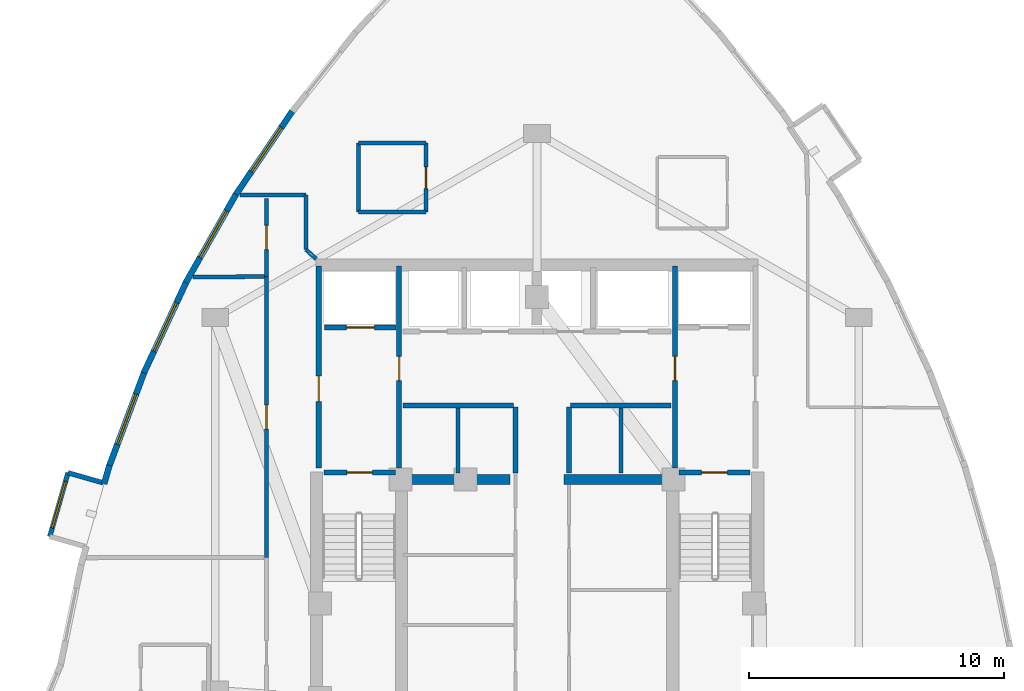
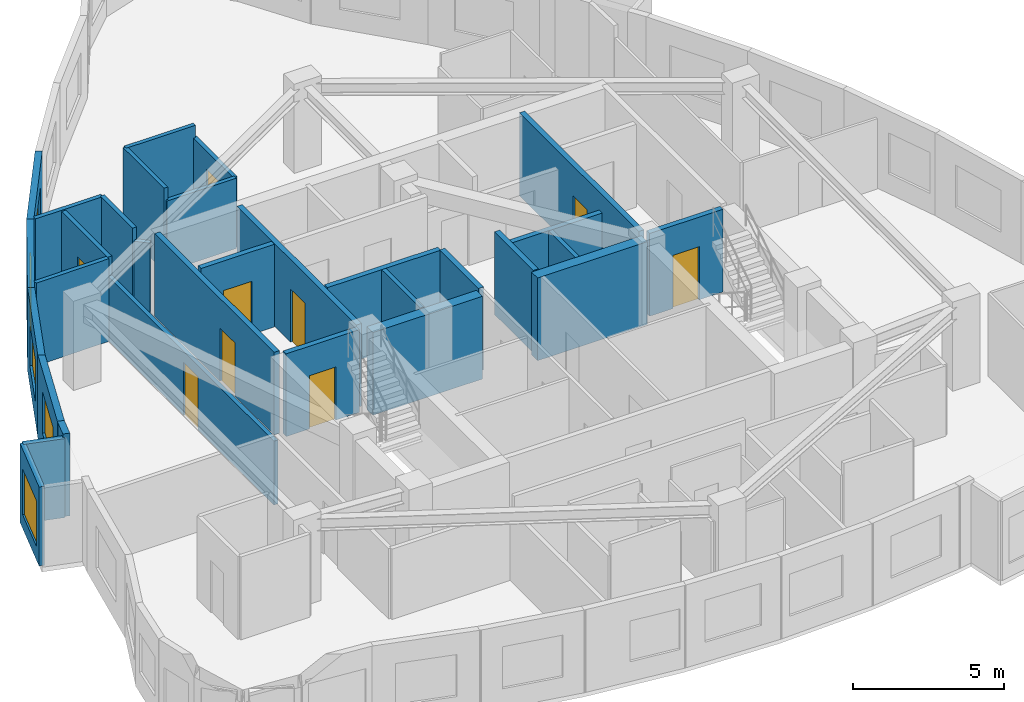
# One storey, part 5 of 9: 31 walls, 9 doors, 5 windows, 14 openings.
"""IFC4 building model written with IfcOpenShell, lengths in metres."""

from ifc_helpers import new_model, si_unit, direction, frame, frame_2d, origin, place, context, subcontext, project, spatial, rectangle, extrude, material, layer, layer_set, type_object, element, fill, save


model = new_model("IFC4")

# Units and contexts
model_context = context("Model", 3, precision=1e-05, world=origin(), true_north=direction((0.0, 1.0)))
body_context = subcontext(model_context, "Body", "Model", "MODEL_VIEW")
ifc_project = project(units=[si_unit("LENGTHUNIT", "METRE"), si_unit("AREAUNIT", "SQUARE_METRE"), si_unit("VOLUMEUNIT", "CUBIC_METRE"), si_unit("PLANEANGLEUNIT", "RADIAN"), si_unit("MASSUNIT", "GRAM", prefix="KILO")], contexts=[model_context])

# Site, building, storey
site_placement = place(None, origin())
site = spatial("IfcSite", under=ifc_project, at=site_placement, CompositionType="ELEMENT")
building_placement = place(site_placement, origin())
building = spatial("IfcBuilding", under=site, at=building_placement, Name="Miruveldt Soraemaru", CompositionType="ELEMENT")
storey_placement = place(building_placement, frame((0.0, 0.0, 194.39990234375)))
storey = spatial("IfcBuildingStorey", under=building, at=storey_placement, Name="L53", CompositionType="ELEMENT", Elevation=194.39990234375)

# Wall
ifc_material_1 = material(Name="White powder-coated aluminium EN AW-6060 T6", Category="aluminium")
ifc_layer_1 = layer(ifc_material_1, 0.18994140625, Name="White powder-coated aluminium EN AW-6060 T6", Category="aluminium")
ifc_layer_set_1 = layer_set([ifc_layer_1], Name="White powder-coated aluminium EN AW-6060 T6")
wall_type_1 = type_object("IfcWallType", Name="WALL-BAY-ALU190", PredefinedType="SOLIDWALL", material=ifc_layer_set_1)
wall_1_placement = place(storey_placement, frame((26.99951171875, 43.9228515625, 0.0), z_axis=(0.0, 0.0, 1.0), x_axis=(-0.961439844578, 0.275015318223, 0.0)))
element("IfcWall", 1, at=wall_1_placement, inside=storey, type_object=wall_type_1, Name="L53 Bay Window Side Cheek 1L", PredefinedType="SOLIDWALL", context=body_context, shape_type="SweptSolid", body=[
    extrude(rectangle(XDim=1.4248046875, YDim=0.18994140625, at=frame_2d((0.71240234375, 0.0))), origin(), (0.0, 0.0, 1.0), 3.195068359375),
])

# Wall, opening, window
wall_2_placement = place(storey_placement, frame((25.629638671875, 44.314697265625, 0.0), z_axis=(0.0, 0.0, 1.0), x_axis=(-0.274944358644, -0.961460139397, 0.0)))
wall_2 = element("IfcWall", 2, at=wall_2_placement, inside=storey, type_object=wall_type_1, Name="L53 Bay Window Front Frame 1", PredefinedType="SOLIDWALL", context=body_context, shape_type="SweptSolid", body=[
    extrude(rectangle(XDim=2.599853515625, YDim=0.18994140625, at=frame_2d((1.2998046875, 0.0))), origin(), (0.0, 0.0, 1.0), 3.195068359375),
])
opening_1_placement = place(wall_2_placement, frame((0.35009765625, 0.0, 0.550048828125)))
opening_1 = element("IfcOpeningElement", 3, at=opening_1_placement, cuts=wall_2, Name="Opening WN-6", PredefinedType="OPENING", context=body_context, shape_type="SweptSolid", body=[
    extrude(rectangle(XDim=1.89990234375, YDim=1.85009765625, at=frame_2d((0.949951171875, 0.925048828125))), frame((0.0, 0.10498046875, 0.0), z_axis=(0.0, -1.0, 0.0), x_axis=(1.0, 0.0, 0.0)), (0.0, 0.0, 1.0), 0.2099609375),
])
ifc_material_2 = material(Name="Triple low-e insulated glazing", Category="glass")
window_type_1 = type_object("IfcWindowType", Name="WIN-BAYW-1900x1850", PartitioningType="SINGLE_PANEL", PredefinedType="WINDOW", material=ifc_material_2)
window_1_placement = place(opening_1_placement, origin())
window_1 = element("IfcWindow", 4, at=window_1_placement, inside=storey, type_object=window_type_1, Name="L53 Projecting Bay Window 1", OverallHeight=1.85009765625, OverallWidth=1.89990234375, PartitioningType="SINGLE_PANEL", PredefinedType="WINDOW", context=body_context, shape_type="SweptSolid", body=[
    extrude(rectangle(XDim=1.89990234375, YDim=1.85009765625, at=frame_2d((0.949951171875, 0.925048828125))), frame((0.0, 0.030029296875, 0.0), z_axis=(0.0, -1.0, 0.0), x_axis=(1.0, 0.0, 0.0)), (0.0, 0.0, 1.0), 0.06005859375),
])
fill(opening_1, window_1)

# Walls
ifc_material_3 = material(Name="Concrete C70/85 (70 MPa)", Category="concrete")
ifc_layer_2 = layer(ifc_material_3, 0.5, Name="Concrete C70/85 (70 MPa)", Category="concrete")
ifc_layer_set_2 = layer_set([ifc_layer_2], Name="Concrete C70/85 (70 MPa)")
wall_type_2 = type_object("IfcWallType", Name="WALL-BW-500", PredefinedType="SHEAR", material=ifc_layer_set_2)
for number, where, z_axis, x_axis, name in (
    (5, (38.75, 44.050048828125, 0.0), (0.0, 0.0, 1.0), (1.0, 0.0, 0.0), "L53 Core Buttress Shear Wall BW"),
    (6, (45.050048828125, 44.050048828125, 0.0), (0.0, 0.0, 1.0), (1.0, 0.0, 0.0), "L53 Core Buttress Shear Wall BE"),
):
    element("IfcWall", number, at=place(storey_placement, frame(where, z_axis=z_axis, x_axis=x_axis)), inside=storey, type_object=wall_type_2, Name=name, PredefinedType="SHEAR", context=body_context, shape_type="SweptSolid", body=[
        extrude(rectangle(XDim=4.199951171875, YDim=0.39990234375, at=frame_2d((2.10009765625, 0.0))), origin(), (0.0, 0.0, 1.0), 3.34521484375),
    ])

# Wall, opening, window
ifc_material_4 = material(Name="Precast concrete C45/55 (45 MPa)", Category="concrete")
ifc_layer_3 = layer(ifc_material_4, 0.239990234375, Name="Precast concrete C45/55 (45 MPa)", Category="concrete")
ifc_layer_set_3 = layer_set([ifc_layer_3], Name="Precast concrete C45/55 (45 MPa)")
wall_type_3 = type_object("IfcWallType", Name="WALL-EXT-PC240", PredefinedType="SOLIDWALL", material=ifc_layer_set_3)
wall_3_placement = place(storey_placement, frame((34.412109375, 58.470703125, 0.0), z_axis=(0.0, 0.0, 1.0), x_axis=(-0.560813050783, -0.82794246302, 0.0)))
wall_3 = element("IfcWall", 7, at=wall_3_placement, inside=storey, type_object=wall_type_3, Name="L53 Precast Concrete Facade Wall 9", PredefinedType="SOLIDWALL", context=body_context, shape_type="SweptSolid", body=[
    extrude(rectangle(XDim=3.99951171875, YDim=0.239990234375, at=frame_2d((1.999755859375, 0.0))), origin(), (0.0, 0.0, 1.0), 3.34521484375),
])
opening_2_placement = place(wall_3_placement, frame((0.760009765625, 0.0, 0.800048828125)))
opening_2 = element("IfcOpeningElement", 8, at=opening_2_placement, cuts=wall_3, Name="Opening WN-1", PredefinedType="OPENING", context=body_context, shape_type="SweptSolid", body=[
    extrude(rectangle(XDim=2.10009765625, YDim=1.699951171875, at=frame_2d((1.050048828125, 0.85009765625))), frame((0.0, 0.1298828125, 0.0), z_axis=(0.0, -1.0, 0.0), x_axis=(1.0, 0.0, 0.0)), (0.0, 0.0, 1.0), 0.260009765625),
])
window_type_2 = type_object("IfcWindowType", Name="WIN-PUNCH-2100x1700", PartitioningType="SINGLE_PANEL", PredefinedType="WINDOW", material=ifc_material_2)
window_2_placement = place(opening_2_placement, origin())
window_2 = element("IfcWindow", 9, at=window_2_placement, inside=storey, type_object=window_type_2, Name="L53 Punched Triple-Glazed Window 09.1", OverallHeight=1.699951171875, OverallWidth=2.10009765625, PartitioningType="SINGLE_PANEL", PredefinedType="WINDOW", context=body_context, shape_type="SweptSolid", body=[
    extrude(rectangle(XDim=2.10009765625, YDim=1.699951171875, at=frame_2d((1.050048828125, 0.85009765625))), frame((0.0, 0.030029296875, 0.0), z_axis=(0.0, -1.0, 0.0), x_axis=(1.0, 0.0, 0.0)), (0.0, 0.0, 1.0), 0.06005859375),
])
fill(opening_2, window_2)

wall_4_placement = place(storey_placement, frame((32.2060546875, 55.21875, 0.0), z_axis=(0.0, 0.0, 1.0), x_axis=(-0.4933845008, -0.869811321132, 0.0)))
wall_4 = element("IfcWall", 10, at=wall_4_placement, inside=storey, type_object=wall_type_3, Name="L53 Precast Concrete Facade Wall 10", PredefinedType="SOLIDWALL", context=body_context, shape_type="SweptSolid", body=[
    extrude(rectangle(XDim=3.974365234375, YDim=0.239990234375, at=frame_2d((1.9873046875, 0.0))), origin(), (0.0, 0.0, 1.0), 3.34521484375),
])
opening_3_placement = place(wall_4_placement, frame((0.7470703125, 0.0, 0.800048828125)))
opening_3 = element("IfcOpeningElement", 11, at=opening_3_placement, cuts=wall_4, Name="Opening WN-1", PredefinedType="OPENING", context=body_context, shape_type="SweptSolid", body=[
    extrude(rectangle(XDim=2.10009765625, YDim=1.699951171875, at=frame_2d((1.050048828125, 0.85009765625))), frame((0.0, 0.1298828125, 0.0), z_axis=(0.0, -1.0, 0.0), x_axis=(1.0, 0.0, 0.0)), (0.0, 0.0, 1.0), 0.260009765625),
])
window_3_placement = place(opening_3_placement, origin())
window_3 = element("IfcWindow", 12, at=window_3_placement, inside=storey, type_object=window_type_2, Name="L53 Punched Triple-Glazed Window 10.1", OverallHeight=1.699951171875, OverallWidth=2.10009765625, PartitioningType="SINGLE_PANEL", PredefinedType="WINDOW", context=body_context, shape_type="SweptSolid", body=[
    extrude(rectangle(XDim=2.10009765625, YDim=1.699951171875, at=frame_2d((1.050048828125, 0.85009765625))), frame((0.0, 0.030029296875, 0.0), z_axis=(0.0, -1.0, 0.0), x_axis=(1.0, 0.0, 0.0)), (0.0, 0.0, 1.0), 0.06005859375),
])
fill(opening_3, window_3)

wall_5_placement = place(storey_placement, frame((30.27734375, 51.82373046875, 0.0), z_axis=(0.0, 0.0, 1.0), x_axis=(-0.422323780366, -0.906445047721, 0.0)))
wall_5 = element("IfcWall", 13, at=wall_5_placement, inside=storey, type_object=wall_type_3, Name="L53 Precast Concrete Facade Wall 11", PredefinedType="SOLIDWALL", context=body_context, shape_type="SweptSolid", body=[
    extrude(rectangle(XDim=3.974365234375, YDim=0.239990234375, at=frame_2d((1.9873046875, 0.0))), origin(), (0.0, 0.0, 1.0), 3.34521484375),
])
opening_4_placement = place(wall_5_placement, frame((0.93798828125, 0.0, 0.800048828125)))
opening_4 = element("IfcOpeningElement", 14, at=opening_4_placement, cuts=wall_5, Name="Opening WN-1", PredefinedType="OPENING", context=body_context, shape_type="SweptSolid", body=[
    extrude(rectangle(XDim=2.10009765625, YDim=1.699951171875, at=frame_2d((1.050048828125, 0.85009765625))), frame((0.0, 0.1298828125, 0.0), z_axis=(0.0, -1.0, 0.0), x_axis=(1.0, 0.0, 0.0)), (0.0, 0.0, 1.0), 0.260009765625),
])
window_4_placement = place(opening_4_placement, origin())
window_4 = element("IfcWindow", 15, at=window_4_placement, inside=storey, type_object=window_type_2, Name="L53 Punched Triple-Glazed Window 11.1", OverallHeight=1.699951171875, OverallWidth=2.10009765625, PartitioningType="SINGLE_PANEL", PredefinedType="WINDOW", context=body_context, shape_type="SweptSolid", body=[
    extrude(rectangle(XDim=2.10009765625, YDim=1.699951171875, at=frame_2d((1.050048828125, 0.85009765625))), frame((0.0, 0.030029296875, 0.0), z_axis=(0.0, -1.0, 0.0), x_axis=(1.0, 0.0, 0.0)), (0.0, 0.0, 1.0), 0.06005859375),
])
fill(opening_4, window_4)

wall_6_placement = place(storey_placement, frame((28.625732421875, 48.28564453125, 0.0), z_axis=(0.0, 0.0, 1.0), x_axis=(-0.348981843966, -0.937129485494, 0.0)))
wall_6 = element("IfcWall", 16, at=wall_6_placement, inside=storey, type_object=wall_type_3, Name="L53 Precast Concrete Facade Wall 12", PredefinedType="SOLIDWALL", context=body_context, shape_type="SweptSolid", body=[
    extrude(rectangle(XDim=3.99951171875, YDim=0.239990234375, at=frame_2d((1.999755859375, 0.0))), origin(), (0.0, 0.0, 1.0), 3.34521484375),
])
opening_5_placement = place(wall_6_placement, frame((0.949951171875, 0.0, 0.800048828125)))
opening_5 = element("IfcOpeningElement", 17, at=opening_5_placement, cuts=wall_6, Name="Opening WN-1", PredefinedType="OPENING", context=body_context, shape_type="SweptSolid", body=[
    extrude(rectangle(XDim=2.10009765625, YDim=1.699951171875, at=frame_2d((1.050048828125, 0.85009765625))), frame((0.0, 0.1298828125, 0.0), z_axis=(0.0, -1.0, 0.0), x_axis=(1.0, 0.0, 0.0)), (0.0, 0.0, 1.0), 0.260009765625),
])
window_5_placement = place(opening_5_placement, origin())
window_5 = element("IfcWindow", 18, at=window_5_placement, inside=storey, type_object=window_type_2, Name="L53 Punched Triple-Glazed Window 12.1", OverallHeight=1.699951171875, OverallWidth=2.10009765625, PartitioningType="SINGLE_PANEL", PredefinedType="WINDOW", context=body_context, shape_type="SweptSolid", body=[
    extrude(rectangle(XDim=2.10009765625, YDim=1.699951171875, at=frame_2d((1.050048828125, 0.85009765625))), frame((0.0, 0.030029296875, 0.0), z_axis=(0.0, -1.0, 0.0), x_axis=(1.0, 0.0, 0.0)), (0.0, 0.0, 1.0), 0.06005859375),
])
fill(opening_5, window_5)

# Wall
wall_7_placement = place(storey_placement, frame((27.251708984375, 44.604248046875, 0.0), z_axis=(0.0, 0.0, 1.0), x_axis=(-0.275063031277, -0.961426195204, 0.0)))
element("IfcWall", 19, at=wall_7_placement, inside=storey, type_object=wall_type_3, Name="L53 Precast Pier Wall 13A", PredefinedType="SOLIDWALL", context=body_context, shape_type="SweptSolid", body=[
    extrude(rectangle(XDim=0.75439453125, YDim=0.239990234375, at=frame_2d((0.377197265625, 0.0))), origin(), (0.0, 0.0, 1.0), 3.34521484375),
])

# Wall, opening, door
ifc_material_5 = material(Name="Gypsum plasterboard lining", Category="gypsum")
ifc_layer_4 = layer(ifc_material_5, 0.14990234375, Name="Gypsum plasterboard lining", Category="gypsum")
ifc_layer_set_4 = layer_set([ifc_layer_4], Name="Gypsum plasterboard lining")
wall_type_4 = type_object("IfcWallType", Name="WALL-INT-PLUMB", PredefinedType="PLUMBINGWALL", material=ifc_layer_set_4)
wall_8_placement = place(storey_placement, frame((39.652099609375, 54.530029296875, 0.0), z_axis=(0.0, 0.0, 1.0), x_axis=(0.0, 1.0, 0.0)))
wall_8 = element("IfcWall", 20, at=wall_8_placement, inside=storey, type_object=wall_type_4, Name="L53 Partition Wall 11", PredefinedType="PLUMBINGWALL", context=body_context, shape_type="SweptSolid", body=[
    extrude(rectangle(XDim=2.699951171875, YDim=0.14990234375, at=frame_2d((1.35009765625, 0.0))), origin(), (0.0, 0.0, 1.0), 2.84521484375),
])
opening_6_placement = place(wall_8_placement, frame((0.909912109375, 0.0, 0.0)))
opening_6 = element("IfcOpeningElement", 21, at=opening_6_placement, cuts=wall_8, Name="Opening FD3", PredefinedType="OPENING", context=body_context, shape_type="SweptSolid", body=[
    extrude(rectangle(XDim=0.85009765625, YDim=2.10009765625, at=frame_2d((0.425048828125, 1.050048828125))), frame((0.0, 0.0849609375, 0.0), z_axis=(0.0, -1.0, 0.0), x_axis=(1.0, 0.0, 0.0)), (0.0, 0.0, 1.0), 0.169921875),
])
ifc_material_6 = material(Name="Anodised aluminium EN AW-6063 T6", Category="aluminium")
door_type_1 = type_object("IfcDoorType", Name="DOOR-FD3-850", OperationType="NOTDEFINED", PredefinedType="DOOR", material=ifc_material_6)
door_1_placement = place(opening_6_placement, origin())
door_1 = element("IfcDoor", 22, at=door_1_placement, inside=storey, type_object=door_type_1, Name="L53 Unit CL01 BTH Door", OperationType="SINGLE_SWING_LEFT", OverallHeight=2.10009765625, OverallWidth=0.85009765625, PredefinedType="DOOR", context=body_context, shape_type="SweptSolid", body=[
    extrude(rectangle(XDim=0.85009765625, YDim=2.10009765625, at=frame_2d((0.425048828125, 1.050048828125))), frame((0.0, 0.02490234375, 0.0), z_axis=(0.0, -1.0, 0.0), x_axis=(1.0, 0.0, 0.0)), (0.0, 0.0, 1.0), 0.050048828125),
])
fill(opening_6, door_1)

# Walls
wall_9_placement = place(storey_placement, frame((37.001953125, 57.22998046875, 0.0), z_axis=(0.0, 0.0, 1.0), x_axis=(0.0, -1.0, 0.0)))
element("IfcWall", 23, at=wall_9_placement, inside=storey, type_object=wall_type_4, Name="L53 Partition Wall 13", PredefinedType="PLUMBINGWALL", context=body_context, shape_type="SweptSolid", body=[
    extrude(rectangle(XDim=2.699951171875, YDim=0.14990234375, at=frame_2d((1.35009765625, 0.0))), origin(), (0.0, 0.0, 1.0), 3.34521484375),
])
wall_10_placement = place(storey_placement, frame((39.652099609375, 57.22998046875, 0.0), z_axis=(0.0, 0.0, 1.0), x_axis=(-1.0, 0.0, 0.0)))
element("IfcWall", 24, at=wall_10_placement, inside=storey, type_object=wall_type_4, Name="L53 Partition Wall 12", PredefinedType="PLUMBINGWALL", context=body_context, shape_type="SweptSolid", body=[
    extrude(rectangle(XDim=2.650146484375, YDim=0.14990234375, at=frame_2d((1.3251953125, 0.0))), origin(), (0.0, 0.0, 1.0), 3.34521484375),
])
wall_11_placement = place(storey_placement, frame((37.001953125, 54.530029296875, 0.0), z_axis=(0.0, 0.0, 1.0), x_axis=(1.0, 0.0, 0.0)))
element("IfcWall", 25, at=wall_11_placement, inside=storey, type_object=wall_type_4, Name="L53 Partition Wall 14", PredefinedType="PLUMBINGWALL", context=body_context, shape_type="SweptSolid", body=[
    extrude(rectangle(XDim=2.650146484375, YDim=0.14990234375, at=frame_2d((1.3251953125, 0.0))), origin(), (0.0, 0.0, 1.0), 2.84521484375),
])

# Wall, opening, door
ifc_material_7 = material(Name="Concrete C40/50 (40 MPa)", Category="concrete")
ifc_layer_5 = layer(ifc_material_7, 0.159912109375, Name="Concrete C40/50 (40 MPa)", Category="concrete")
ifc_layer_set_5 = layer_set([ifc_layer_5], Name="Concrete C40/50 (40 MPa)")
wall_type_5 = type_object("IfcWallType", Name="WALL-INT-RC160", PredefinedType="SOLIDWALL", material=ifc_layer_set_5)
wall_12_placement = place(storey_placement, frame((33.39990234375, 52.0, 0.0), z_axis=(0.0, 0.0, 1.0), x_axis=(0.0, -1.0, 0.0)))
wall_12 = element("IfcWall", 26, at=wall_12_placement, inside=storey, type_object=wall_type_5, Name="L53 Partition Wall 4", PredefinedType="SOLIDWALL", context=body_context, shape_type="SweptSolid", body=[
    extrude(rectangle(XDim=11.0, YDim=0.159912109375, at=frame_2d((5.5, 0.0))), origin(), (0.0, 0.0, 1.0), 2.5830078125),
])
opening_7_placement = place(wall_12_placement, frame((5.02490234375, 0.0, 0.0)))
opening_7 = element("IfcOpeningElement", 27, at=opening_7_placement, cuts=wall_12, Name="Opening FD2", PredefinedType="OPENING", context=body_context, shape_type="SweptSolid", body=[
    extrude(rectangle(XDim=0.949951171875, YDim=2.14990234375, at=frame_2d((0.47509765625, 1.074951171875))), frame((0.0, 0.08984375, 0.0), z_axis=(0.0, -1.0, 0.0), x_axis=(1.0, 0.0, 0.0)), (0.0, 0.0, 1.0), 0.179931640625),
])
door_type_2 = type_object("IfcDoorType", Name="DOOR-FD2-950", OperationType="NOTDEFINED", PredefinedType="DOOR", material=ifc_material_6)
door_2_placement = place(opening_7_placement, origin())
door_2 = element("IfcDoor", 28, at=door_2_placement, inside=storey, type_object=door_type_2, Name="L53 Unit CL02 Entrance Fire Door", OperationType="SINGLE_SWING_LEFT", OverallHeight=2.14990234375, OverallWidth=0.949951171875, PredefinedType="DOOR", context=body_context, shape_type="SweptSolid", body=[
    extrude(rectangle(XDim=0.949951171875, YDim=2.14990234375, at=frame_2d((0.47509765625, 1.074951171875))), frame((0.0, 0.02490234375, 0.0), z_axis=(0.0, -1.0, 0.0), x_axis=(1.0, 0.0, 0.0)), (0.0, 0.0, 1.0), 0.050048828125),
])
fill(opening_7, door_2)

wall_13_placement = place(storey_placement, frame((33.39990234375, 55.06005859375, 0.0), z_axis=(0.0, 0.0, 1.0), x_axis=(0.0, -1.0, 0.0)))
wall_13 = element("IfcWall", 29, at=wall_13_placement, inside=storey, type_object=wall_type_5, Name="L53 Partition Wall 3", PredefinedType="SOLIDWALL", context=body_context, shape_type="SweptSolid", body=[
    extrude(rectangle(XDim=3.05712890625, YDim=0.159912109375, at=frame_2d((1.528564453125, 0.0))), origin(), (0.0, 0.0, 1.0), 3.34521484375),
])
opening_8_placement = place(wall_13_placement, frame((1.053955078125, 0.0, 0.0)))
opening_8 = element("IfcOpeningElement", 30, at=opening_8_placement, cuts=wall_13, Name="Opening FD2", PredefinedType="OPENING", context=body_context, shape_type="SweptSolid", body=[
    extrude(rectangle(XDim=0.949951171875, YDim=2.14990234375, at=frame_2d((0.47509765625, 1.074951171875))), frame((0.0, 0.08984375, 0.0), z_axis=(0.0, -1.0, 0.0), x_axis=(1.0, 0.0, 0.0)), (0.0, 0.0, 1.0), 0.179931640625),
])
door_3_placement = place(opening_8_placement, origin())
door_3 = element("IfcDoor", 31, at=door_3_placement, inside=storey, type_object=door_type_2, Name="L53 Unit CL01 Entrance Fire Door", OperationType="SINGLE_SWING_RIGHT", OverallHeight=2.14990234375, OverallWidth=0.949951171875, PredefinedType="DOOR", context=body_context, shape_type="SweptSolid", body=[
    extrude(rectangle(XDim=0.949951171875, YDim=2.14990234375, at=frame_2d((0.47509765625, 1.074951171875))), frame((0.0, 0.02490234375, 0.0), z_axis=(0.0, -1.0, 0.0), x_axis=(1.0, 0.0, 0.0)), (0.0, 0.0, 1.0), 0.050048828125),
])
fill(opening_8, door_3)

# Walls
wall_14_placement = place(storey_placement, frame((30.52001953125, 51.972900390625, 0.0), z_axis=(0.0, 0.0, 1.0), x_axis=(0.999956483085, 0.009329090914, 0.0)))
element("IfcWall", 32, at=wall_14_placement, inside=storey, type_object=wall_type_5, Name="L53 Partition Wall 19", PredefinedType="SOLIDWALL", context=body_context, shape_type="SweptSolid", body=[
    extrude(rectangle(XDim=2.800048828125, YDim=0.159912109375, at=frame_2d((1.39990234375, 0.0))), origin(), (0.0, 0.0, 1.0), 3.34521484375),
])
wall_15_placement = place(storey_placement, frame((34.949951171875, 55.199951171875, 0.0), z_axis=(0.0, 0.0, 1.0), x_axis=(-1.0, 0.0, 0.0)))
element("IfcWall", 33, at=wall_15_placement, inside=storey, type_object=wall_type_5, Name="L53 Partition Wall 2", PredefinedType="SOLIDWALL", context=body_context, shape_type="SweptSolid", body=[
    extrude(rectangle(XDim=2.58984375, YDim=0.159912109375, at=frame_2d((1.294921875, 0.0))), origin(), (0.0, 0.0, 1.0), 3.34521484375),
])
wall_16_placement = place(storey_placement, frame((40.89990234375, 44.300048828125, 0.0), z_axis=(0.0, 0.0, 1.0), x_axis=(0.0, 1.0, 0.0)))
element("IfcWall", 34, at=wall_16_placement, inside=storey, type_object=wall_type_5, Name="L53 Core Compartment Wall PLM-DW", PredefinedType="SOLIDWALL", context=body_context, shape_type="SweptSolid", body=[
    extrude(rectangle(XDim=2.550048828125, YDim=0.159912109375, at=frame_2d((1.27490234375, 0.0))), origin(), (0.0, 0.0, 1.0), 3.34521484375),
])
wall_17_placement = place(storey_placement, frame((47.280029296875, 44.300048828125, 0.0), z_axis=(0.0, 0.0, 1.0), x_axis=(0.0, 1.0, 0.0)))
element("IfcWall", 35, at=wall_17_placement, inside=storey, type_object=wall_type_5, Name="L53 Core Compartment Wall PLM-DE", PredefinedType="SOLIDWALL", context=body_context, shape_type="SweptSolid", body=[
    extrude(rectangle(XDim=2.550048828125, YDim=0.159912109375, at=frame_2d((1.27490234375, 0.0))), origin(), (0.0, 0.0, 1.0), 2.68310546875),
])
wall_18_placement = place(storey_placement, frame((34.949951171875, 53.052978515625, 0.0), z_axis=(0.0, 0.0, 1.0), x_axis=(0.0, 1.0, 0.0)))
element("IfcWall", 36, at=wall_18_placement, inside=storey, type_object=wall_type_5, Name="L53 Partition Wall 1", PredefinedType="SOLIDWALL", context=body_context, shape_type="SweptSolid", body=[
    extrude(rectangle(XDim=2.14697265625, YDim=0.159912109375, at=frame_2d((1.073486328125, 0.0))), origin(), (0.0, 0.0, 1.0), 3.34521484375),
])
wall_19_placement = place(storey_placement, frame((34.949951171875, 53.052978515625, 0.0), z_axis=(0.0, 0.0, 1.0), x_axis=(0.740614438713, -0.671930244274, 0.0)))
element("IfcWall", 37, at=wall_19_placement, inside=storey, type_object=wall_type_5, Name="L53 Partition Closure Return 1", PredefinedType="SOLIDWALL", context=body_context, shape_type="SweptSolid", body=[
    extrude(rectangle(XDim=0.540283203125, YDim=0.159912109375, at=frame_2d((0.27001953125, 0.0))), origin(), (0.0, 0.0, 1.0), 2.84521484375),
])

# Wall, opening, door
ifc_layer_6 = layer(ifc_material_7, 0.199951171875, Name="Concrete C40/50 (40 MPa)", Category="concrete")
ifc_layer_set_6 = layer_set([ifc_layer_6], Name="Concrete C40/50 (40 MPa)")
wall_type_6 = type_object("IfcWallType", Name="WALL-INT-RC200", PredefinedType="SOLIDWALL", material=ifc_layer_set_6)
wall_20_placement = place(storey_placement, frame((35.449951171875, 44.5, 0.0), z_axis=(0.0, 0.0, 1.0), x_axis=(0.0, 1.0, 0.0)))
wall_20 = element("IfcWall", 38, at=wall_20_placement, inside=storey, type_object=wall_type_6, Name="L53 Core Compartment Wall FFW-OUT", PredefinedType="SOLIDWALL", context=body_context, shape_type="SweptSolid", body=[
    extrude(rectangle(XDim=7.919921875, YDim=0.199951171875, at=frame_2d((3.9599609375, 0.0))), origin(), (0.0, 0.0, 1.0), 3.34521484375),
])
opening_9_placement = place(wall_20_placement, frame((2.60009765625, 0.0, 0.0)))
opening_9 = element("IfcOpeningElement", 39, at=opening_9_placement, cuts=wall_20, Name="Opening FD1", PredefinedType="OPENING", context=body_context, shape_type="SweptSolid", body=[
    extrude(rectangle(XDim=1.0, YDim=2.14990234375, at=frame_2d((0.5, 1.074951171875))), frame((0.0, 0.10986328125, 0.0), z_axis=(0.0, -1.0, 0.0), x_axis=(1.0, 0.0, 0.0)), (0.0, 0.0, 1.0), 0.219970703125),
])
door_type_3 = type_object("IfcDoorType", Name="DOOR-FD1-1000", OperationType="NOTDEFINED", PredefinedType="DOOR", material=ifc_material_6)
door_4_placement = place(opening_9_placement, origin())
door_4 = element("IfcDoor", 40, at=door_4_placement, inside=storey, type_object=door_type_3, Name="L53 West Firefighting Lobby Exit Door", OperationType="SINGLE_SWING_LEFT", OverallHeight=2.14990234375, OverallWidth=1.0, PredefinedType="DOOR", context=body_context, shape_type="SweptSolid", body=[
    extrude(rectangle(XDim=1.0, YDim=2.14990234375, at=frame_2d((0.5, 1.074951171875))), frame((0.0, 0.02490234375, 0.0), z_axis=(0.0, -1.0, 0.0), x_axis=(1.0, 0.0, 0.0)), (0.0, 0.0, 1.0), 0.050048828125),
])
fill(opening_9, door_4)

wall_21_placement = place(storey_placement, frame((38.60009765625, 44.5, 0.0), z_axis=(0.0, 0.0, 1.0), x_axis=(0.0, 1.0, 0.0)))
wall_21 = element("IfcWall", 41, at=wall_21_placement, inside=storey, type_object=wall_type_6, Name="L53 Core Compartment Wall FFW-IN", PredefinedType="SOLIDWALL", context=body_context, shape_type="SweptSolid", body=[
    extrude(rectangle(XDim=7.919921875, YDim=0.199951171875, at=frame_2d((3.9599609375, 0.0))), origin(), (0.0, 0.0, 1.0), 3.34521484375),
])
opening_10_placement = place(wall_21_placement, frame((3.425048828125, 0.0, 0.0)))
opening_10 = element("IfcOpeningElement", 42, at=opening_10_placement, cuts=wall_21, Name="Opening FD2", PredefinedType="OPENING", context=body_context, shape_type="SweptSolid", body=[
    extrude(rectangle(XDim=0.949951171875, YDim=2.14990234375, at=frame_2d((0.47509765625, 1.074951171875))), frame((0.0, 0.10986328125, 0.0), z_axis=(0.0, -1.0, 0.0), x_axis=(1.0, 0.0, 0.0)), (0.0, 0.0, 1.0), 0.219970703125),
])
door_5_placement = place(opening_10_placement, frame((0.949951171875, 0.0, 0.0), z_axis=(0.0, 0.0, 1.0), x_axis=(-1.0, 0.0, 0.0)))
door_5 = element("IfcDoor", 43, at=door_5_placement, inside=storey, type_object=door_type_2, Name="L53 Lift Lobby to West Fire Lobby Door", OperationType="SINGLE_SWING_RIGHT", OverallHeight=2.14990234375, OverallWidth=0.949951171875, PredefinedType="DOOR", context=body_context, shape_type="SweptSolid", body=[
    extrude(rectangle(XDim=0.949951171875, YDim=2.14990234375, at=frame_2d((0.47509765625, 1.074951171875))), frame((0.0, 0.02490234375, 0.0), z_axis=(0.0, -1.0, 0.0), x_axis=(1.0, 0.0, 0.0)), (0.0, 0.0, 1.0), 0.050048828125),
])
fill(opening_10, door_5)

wall_22_placement = place(storey_placement, frame((49.39990234375, 44.5, 0.0), z_axis=(0.0, 0.0, 1.0), x_axis=(0.0, 1.0, 0.0)))
wall_22 = element("IfcWall", 44, at=wall_22_placement, inside=storey, type_object=wall_type_6, Name="L53 Core Compartment Wall FFE-IN", PredefinedType="SOLIDWALL", context=body_context, shape_type="SweptSolid", body=[
    extrude(rectangle(XDim=7.919921875, YDim=0.199951171875, at=frame_2d((3.9599609375, 0.0))), origin(), (0.0, 0.0, 1.0), 3.34521484375),
])
opening_11_placement = place(wall_22_placement, frame((3.425048828125, 0.0, 0.0)))
opening_11 = element("IfcOpeningElement", 45, at=opening_11_placement, cuts=wall_22, Name="Opening FD2", PredefinedType="OPENING", context=body_context, shape_type="SweptSolid", body=[
    extrude(rectangle(XDim=0.949951171875, YDim=2.14990234375, at=frame_2d((0.47509765625, 1.074951171875))), frame((0.0, 0.10986328125, 0.0), z_axis=(0.0, -1.0, 0.0), x_axis=(1.0, 0.0, 0.0)), (0.0, 0.0, 1.0), 0.219970703125),
])
door_6_placement = place(opening_11_placement, origin())
door_6 = element("IfcDoor", 46, at=door_6_placement, inside=storey, type_object=door_type_2, Name="L53 Lift Lobby to East Fire Lobby Door", OperationType="SINGLE_SWING_LEFT", OverallHeight=2.14990234375, OverallWidth=0.949951171875, PredefinedType="DOOR", context=body_context, shape_type="SweptSolid", body=[
    extrude(rectangle(XDim=0.949951171875, YDim=2.14990234375, at=frame_2d((0.47509765625, 1.074951171875))), frame((0.0, 0.02490234375, 0.0), z_axis=(0.0, -1.0, 0.0), x_axis=(1.0, 0.0, 0.0)), (0.0, 0.0, 1.0), 0.050048828125),
])
fill(opening_11, door_6)

wall_23_placement = place(storey_placement, frame((35.64990234375, 44.320068359375, 0.0), z_axis=(0.0, 0.0, 1.0), x_axis=(1.0, 0.0, 0.0)))
wall_23 = element("IfcWall", 47, at=wall_23_placement, inside=storey, type_object=wall_type_6, Name="L53 Core Compartment Wall ST1-N", PredefinedType="SOLIDWALL", context=body_context, shape_type="SweptSolid", body=[
    extrude(rectangle(XDim=2.800048828125, YDim=0.199951171875, at=frame_2d((1.39990234375, 0.0))), origin(), (0.0, 0.0, 1.0), 3.34521484375),
])
opening_12_placement = place(wall_23_placement, frame((0.89990234375, 0.0, 0.0)))
opening_12 = element("IfcOpeningElement", 48, at=opening_12_placement, cuts=wall_23, Name="Opening FD1", PredefinedType="OPENING", context=body_context, shape_type="SweptSolid", body=[
    extrude(rectangle(XDim=1.0, YDim=2.14990234375, at=frame_2d((0.5, 1.074951171875))), frame((0.0, 0.10986328125, 0.0), z_axis=(0.0, -1.0, 0.0), x_axis=(1.0, 0.0, 0.0)), (0.0, 0.0, 1.0), 0.219970703125),
])
door_7_placement = place(opening_12_placement, frame((1.0, 0.0, 0.0), z_axis=(0.0, 0.0, 1.0), x_axis=(-1.0, 0.0, 0.0)))
door_7 = element("IfcDoor", 49, at=door_7_placement, inside=storey, type_object=door_type_3, Name="L53 Stair ST-1 Fire Door", OperationType="SINGLE_SWING_LEFT", OverallHeight=2.14990234375, OverallWidth=1.0, PredefinedType="DOOR", context=body_context, shape_type="SweptSolid", body=[
    extrude(rectangle(XDim=1.0, YDim=2.14990234375, at=frame_2d((0.5, 1.074951171875))), frame((0.0, 0.02490234375, 0.0), z_axis=(0.0, -1.0, 0.0), x_axis=(1.0, 0.0, 0.0)), (0.0, 0.0, 1.0), 0.050048828125),
])
fill(opening_12, door_7)

wall_24_placement = place(storey_placement, frame((49.550048828125, 44.320068359375, 0.0), z_axis=(0.0, 0.0, 1.0), x_axis=(1.0, 0.0, 0.0)))
wall_24 = element("IfcWall", 50, at=wall_24_placement, inside=storey, type_object=wall_type_6, Name="L53 Core Compartment Wall ST2-N", PredefinedType="SOLIDWALL", context=body_context, shape_type="SweptSolid", body=[
    extrude(rectangle(XDim=2.800048828125, YDim=0.199951171875, at=frame_2d((1.39990234375, 0.0))), origin(), (0.0, 0.0, 1.0), 3.34521484375),
])
opening_13_placement = place(wall_24_placement, frame((0.89990234375, 0.0, 0.0)))
opening_13 = element("IfcOpeningElement", 51, at=opening_13_placement, cuts=wall_24, Name="Opening FD1", PredefinedType="OPENING", context=body_context, shape_type="SweptSolid", body=[
    extrude(rectangle(XDim=1.0, YDim=2.14990234375, at=frame_2d((0.5, 1.074951171875))), frame((0.0, 0.10986328125, 0.0), z_axis=(0.0, -1.0, 0.0), x_axis=(1.0, 0.0, 0.0)), (0.0, 0.0, 1.0), 0.219970703125),
])
door_8_placement = place(opening_13_placement, frame((1.0, 0.0, 0.0), z_axis=(0.0, 0.0, 1.0), x_axis=(-1.0, 0.0, 0.0)))
door_8 = element("IfcDoor", 52, at=door_8_placement, inside=storey, type_object=door_type_3, Name="L53 Stair ST-2 Fire Door", OperationType="SINGLE_SWING_RIGHT", OverallHeight=2.14990234375, OverallWidth=1.0, PredefinedType="DOOR", context=body_context, shape_type="SweptSolid", body=[
    extrude(rectangle(XDim=1.0, YDim=2.14990234375, at=frame_2d((0.5, 1.074951171875))), frame((0.0, 0.02490234375, 0.0), z_axis=(0.0, -1.0, 0.0), x_axis=(1.0, 0.0, 0.0)), (0.0, 0.0, 1.0), 0.050048828125),
])
fill(opening_13, door_8)

wall_25_placement = place(storey_placement, frame((35.679931640625, 50.0, 0.0), z_axis=(0.0, 0.0, 1.0), x_axis=(1.0, 0.0, 0.0)))
wall_25 = element("IfcWall", 53, at=wall_25_placement, inside=storey, type_object=wall_type_6, Name="L53 Core Compartment Wall FFL1-S", PredefinedType="SOLIDWALL", context=body_context, shape_type="SweptSolid", body=[
    extrude(rectangle(XDim=2.800048828125, YDim=0.199951171875, at=frame_2d((1.39990234375, 0.0))), origin(), (0.0, 0.0, 1.0), 3.34521484375),
])
opening_14_placement = place(wall_25_placement, frame((0.85009765625, 0.0, 0.0)))
opening_14 = element("IfcOpeningElement", 54, at=opening_14_placement, cuts=wall_25, Name="Opening LD2", PredefinedType="OPENING", context=body_context, shape_type="SweptSolid", body=[
    extrude(rectangle(XDim=1.10009765625, YDim=2.14990234375, at=frame_2d((0.550048828125, 1.074951171875))), frame((0.0, 0.10986328125, 0.0), z_axis=(0.0, -1.0, 0.0), x_axis=(1.0, 0.0, 0.0)), (0.0, 0.0, 1.0), 0.219970703125),
])
door_type_4 = type_object("IfcDoorType", Name="DOOR-LD2-1100", OperationType="SLIDING_TO_LEFT", PredefinedType="DOOR", material=ifc_material_6)
door_9_placement = place(opening_14_placement, origin())
door_9 = element("IfcDoor", 55, at=door_9_placement, inside=storey, type_object=door_type_4, Name="L53 FFL-1 Landing Door", OperationType="SLIDING_TO_LEFT", OverallHeight=2.14990234375, OverallWidth=1.10009765625, PredefinedType="DOOR", context=body_context, shape_type="SweptSolid", body=[
    extrude(rectangle(XDim=1.10009765625, YDim=2.14990234375, at=frame_2d((0.550048828125, 1.074951171875))), frame((0.0, 0.02490234375, 0.0), z_axis=(0.0, -1.0, 0.0), x_axis=(1.0, 0.0, 0.0)), (0.0, 0.0, 1.0), 0.050048828125),
])
fill(opening_14, door_9)

# Walls
wall_26_placement = place(storey_placement, frame((38.75, 46.949951171875, 0.0), z_axis=(0.0, 0.0, 1.0), x_axis=(1.0, 0.0, 0.0)))
element("IfcWall", 56, at=wall_26_placement, inside=storey, type_object=wall_type_6, Name="L53 Core Compartment Wall MBW-N", PredefinedType="SOLIDWALL", context=body_context, shape_type="SweptSolid", body=[
    extrude(rectangle(XDim=4.330078125, YDim=0.199951171875, at=frame_2d((2.1650390625, 0.0))), origin(), (0.0, 0.0, 1.0), 3.34521484375),
])
wall_27_placement = place(storey_placement, frame((45.320068359375, 46.949951171875, 0.0), z_axis=(0.0, 0.0, 1.0), x_axis=(1.0, 0.0, 0.0)))
element("IfcWall", 57, at=wall_27_placement, inside=storey, type_object=wall_type_6, Name="L53 Core Compartment Wall MBE-N", PredefinedType="SOLIDWALL", context=body_context, shape_type="SweptSolid", body=[
    extrude(rectangle(XDim=3.929931640625, YDim=0.199951171875, at=frame_2d((1.96484375, 0.0))), origin(), (0.0, 0.0, 1.0), 2.68310546875),
])
for number, where, z_axis, x_axis, name in (
    (58, (43.14990234375, 44.300048828125, 0.0), (0.0, 0.0, 1.0), (0.0, 1.0, 0.0), "L53 Core Compartment Wall SP-WB"),
    (59, (45.25, 44.300048828125, 0.0), (0.0, 0.0, 1.0), (0.0, 1.0, 0.0), "L53 Core Compartment Wall SP-EB"),
):
    element("IfcWall", number, at=place(storey_placement, frame(where, z_axis=z_axis, x_axis=x_axis)), inside=storey, type_object=wall_type_6, Name=name, PredefinedType="SOLIDWALL", context=body_context, shape_type="SweptSolid", body=[
        extrude(rectangle(XDim=2.579833984375, YDim=0.199951171875, at=frame_2d((1.2900390625, 0.0))), origin(), (0.0, 0.0, 1.0), 3.34521484375),
    ])

save(model, "model.ifc")
